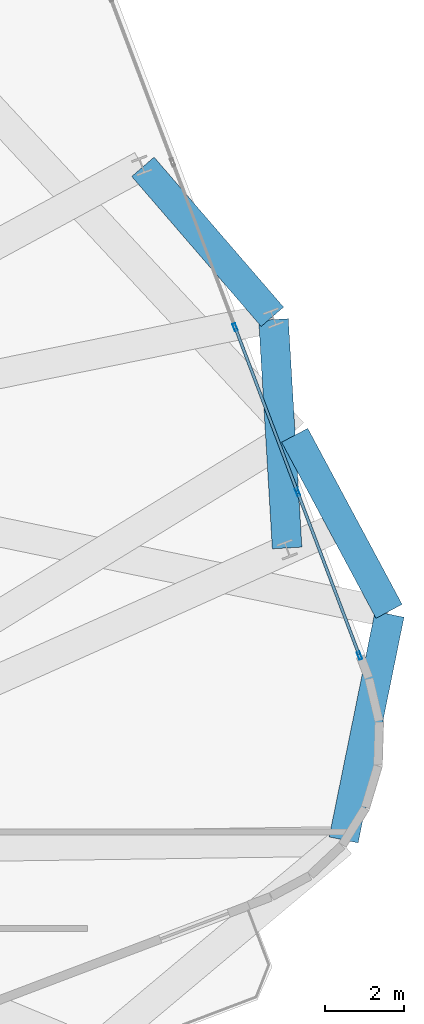
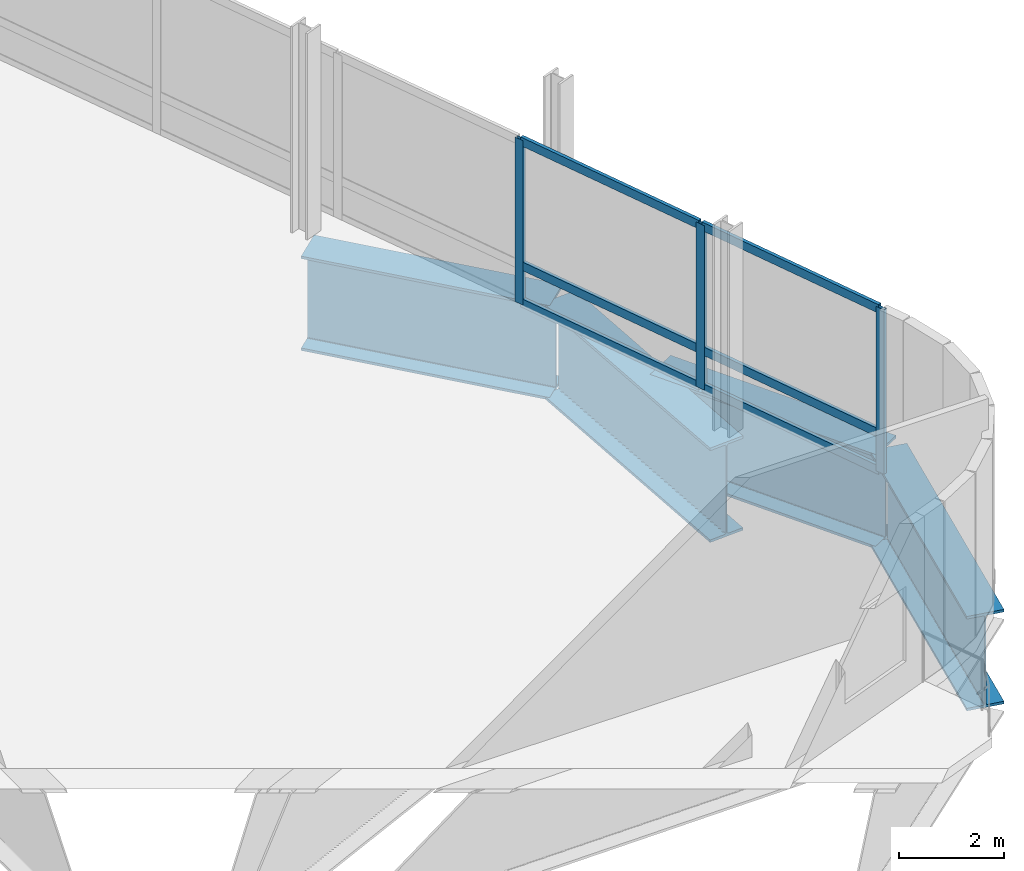
# One storey, part 11 of 19: 9 members, 4 beams, 1 element without a shape of its own.
"""IFC4 building model written with IfcOpenShell, lengths in metres."""

from ifc_helpers import new_model, si_unit, direction, frame, origin, origin_2d, place, context, subcontext, project, spatial, hollow_rectangle, i_section, extrude, material, layer, layer_set, material_profile, profile_set, type_object, element, aggregate, save


model = new_model("IFC4")

# Units and contexts
model_context = context("Model", 3, precision=1e-05, world=origin(), true_north=direction((0.0, 1.0)))
body_context = subcontext(model_context, "Body", "Model", "MODEL_VIEW")
ifc_project = project(units=[si_unit("LENGTHUNIT", "METRE"), si_unit("AREAUNIT", "SQUARE_METRE"), si_unit("VOLUMEUNIT", "CUBIC_METRE"), si_unit("PLANEANGLEUNIT", "RADIAN"), si_unit("MASSUNIT", "GRAM", prefix="KILO")], contexts=[model_context])

# Site, building, storey
site_placement = place(None, origin())
site = spatial("IfcSite", under=ifc_project, at=site_placement, CompositionType="ELEMENT")
building_placement = place(site_placement, origin())
building = spatial("IfcBuilding", under=site, at=building_placement, Name="Varnelok Gate Tower", CompositionType="ELEMENT")
storey_placement = place(building_placement, frame((0.0, 0.0, 207.89990234375)))
storey = spatial("IfcBuildingStorey", under=building, at=storey_placement, Name="L53", CompositionType="ELEMENT", Elevation=207.89990234375)

# Beams
ifc_material_1 = material(Name="Structural Steel ASTM A572 Grade 50", Category="steel")
ifc_material_profile_1 = material_profile(ifc_material_1, i_section(OverallWidth=0.75, OverallDepth=2.199951171875, WebThickness=0.031982421875, FlangeThickness=0.06005859375, FilletRadius=0.028076171875, at=origin_2d()), Name="PG2200X750")
ifc_profile_set_1 = profile_set([ifc_material_profile_1], Name="Structural Steel ASTM A572 Grade 50")
beam_type = type_object("IfcBeamType", Name="BM-TR-PG2200", PredefinedType="BEAM", material=ifc_profile_set_1)
beam_1_placement = place(storey_placement, frame((72.48486328125, 19.098388671875, -1.419921875), z_axis=(0.199125878394, 0.979973920344, 0.0), x_axis=(-0.979973920344, 0.199125878394, 0.0)))
element("IfcBeam", 1, at=beam_1_placement, inside=storey, type_object=beam_type, Name="L53 Transfer Support Ring Girder 6", PredefinedType="BEAM", context=body_context, shape_type="SweptSolid", body=[
    extrude(i_section(OverallWidth=0.75, OverallDepth=2.199951171875, WebThickness=0.031982421875, FlangeThickness=0.06005859375, FilletRadius=0.028076171875, at=origin_2d()), origin(), (0.0, 0.0, 1.0), 5.832275390625),
])
beam_2_placement = place(storey_placement, frame((73.63525390625, 24.888427734375, -1.419921875), z_axis=(-0.472505212111, 0.881327875724, 0.0), x_axis=(-0.881327875724, -0.472505212111, 0.0)))
element("IfcBeam", 2, at=beam_2_placement, inside=storey, type_object=beam_type, Name="L53 Transfer Support Ring Girder 7", PredefinedType="BEAM", context=body_context, shape_type="SweptSolid", body=[
    extrude(i_section(OverallWidth=0.75, OverallDepth=2.199951171875, WebThickness=0.031982421875, FlangeThickness=0.06005859375, FilletRadius=0.028076171875, at=origin_2d()), origin(), (0.0, 0.0, 1.0), 5.060546875),
])
beam_3_placement = place(storey_placement, frame((71.052734375, 26.493408203125, -1.419921875), z_axis=(-0.059470101815, 0.998230087199, 0.0), x_axis=(-0.998230087199, -0.059470101815, 0.0)))
element("IfcBeam", 3, at=beam_3_placement, inside=storey, type_object=beam_type, Name="L53 Upper Perimeter Transfer Ring 6", PredefinedType="BEAM", context=body_context, shape_type="SweptSolid", body=[
    extrude(i_section(OverallWidth=0.75, OverallDepth=2.199951171875, WebThickness=0.031982421875, FlangeThickness=0.06005859375, FilletRadius=0.028076171875, at=origin_2d()), origin(), (0.0, 0.0, 1.0), 5.796630859375),
])
beam_4_placement = place(storey_placement, frame((70.679443359375, 32.349853515625, -1.419921875), z_axis=(-0.65351476539, 0.756913767491, 0.0), x_axis=(-0.756913767491, -0.65351476539, 0.0)))
element("IfcBeam", 4, at=beam_4_placement, inside=storey, type_object=beam_type, Name="L53 Upper Perimeter Transfer Ring 7", PredefinedType="BEAM", context=body_context, shape_type="SweptSolid", body=[
    extrude(i_section(OverallWidth=0.75, OverallDepth=2.199951171875, WebThickness=0.031982421875, FlangeThickness=0.06005859375, FilletRadius=0.028076171875, at=origin_2d()), origin(), (0.0, 0.0, 1.0), 5.019775390625),
])

# Curtain wall, members
ifc_material_2 = material(Name="Anodized Aluminum Alloy 6063-T6", Category="aluminium")
ifc_layer = layer(ifc_material_2, 0.179931640625)
ifc_layer_set = layer_set([ifc_layer], Name="Anodized Aluminum Alloy 6063-T6")
curtain_wall_type = type_object("IfcCurtainWallType", Name="CW2-ATRIUM-GLAZING", PredefinedType="USERDEFINED", material=ifc_layer_set)
curtain_wall_placement = place(storey_placement, origin())
curtain_wall = element("IfcCurtainWall", 5, at=curtain_wall_placement, inside=storey, type_object=curtain_wall_type, Name="L53 East End Vision Curtain Wall", ObjectType="UNITISED CURTAIN WALL", PredefinedType="USERDEFINED")
ifc_material_profile_2 = material_profile(ifc_material_2, hollow_rectangle(XDim=0.074951171875, YDim=0.199951171875, WallThickness=0.00390625, at=origin_2d()), Name="ALU200X75X4")
ifc_profile_set_2 = profile_set([ifc_material_profile_2], Name="Anodized Aluminum Alloy 6063-T6")
member_type_1 = type_object("IfcMemberType", Name="CW-MULL-200", PredefinedType="MULLION", material=ifc_profile_set_2)
member_1_placement = place(storey_placement, frame((69.73583984375, 32.08447265625, 0.0), z_axis=(0.0, 0.0, 1.0), x_axis=(0.935221251863, 0.354063850264, 0.0)))
member_1 = element("IfcMember", 6, at=member_1_placement, type_object=member_type_1, Name="CW2 mullion 5", PredefinedType="MULLION", context=body_context, shape_type="SweptSolid", body=[
    extrude(hollow_rectangle(XDim=0.074951171875, YDim=0.199951171875, WallThickness=0.00390625, at=origin_2d()), origin(), (0.0, 0.0, 1.0), 3.830078125),
])
member_2_placement = place(storey_placement, frame((71.3173828125, 27.9072265625, 0.0), z_axis=(0.0, 0.0, 1.0), x_axis=(0.935221251863, 0.354063850264, 0.0)))
member_2 = element("IfcMember", 7, at=member_2_placement, type_object=member_type_1, Name="CW2 mullion 6", PredefinedType="MULLION", context=body_context, shape_type="SweptSolid", body=[
    extrude(hollow_rectangle(XDim=0.074951171875, YDim=0.199951171875, WallThickness=0.00390625, at=origin_2d()), origin(), (0.0, 0.0, 1.0), 3.830078125),
])
member_3_placement = place(storey_placement, frame((72.8857421875, 23.764892578125, 0.0), z_axis=(0.0, 0.0, 1.0), x_axis=(0.935221251863, 0.354063850264, 0.0)))
member_3 = element("IfcMember", 8, at=member_3_placement, type_object=member_type_1, Name="CW2 mullion 7", PredefinedType="MULLION", context=body_context, shape_type="SweptSolid", body=[
    extrude(hollow_rectangle(XDim=0.074951171875, YDim=0.199951171875, WallThickness=0.00390625, at=origin_2d()), origin(), (0.0, 0.0, 1.0), 3.830078125),
])
ifc_material_profile_3 = material_profile(ifc_material_2, hollow_rectangle(XDim=0.074951171875, YDim=0.199951171875, WallThickness=0.00390625, at=origin_2d()), Name="ALU200X75X4")
ifc_profile_set_3 = profile_set([ifc_material_profile_3], Name="Anodized Aluminum Alloy 6063-T6")
member_type_2 = type_object("IfcMemberType", Name="CW-TRAN-200", PredefinedType="USERDEFINED", material=ifc_profile_set_3)
member_4_placement = place(storey_placement, frame((69.749267578125, 32.04931640625, 0.03759765625), z_axis=(0.354064266196, -0.935221094396, 0.0), x_axis=(0.935221094396, 0.354064266196, 0.0)))
member_4 = element("IfcMember", 9, at=member_4_placement, type_object=member_type_2, Name="CW2 transom 5.1", ObjectType="TRANSOM", PredefinedType="USERDEFINED", context=body_context, shape_type="SweptSolid", body=[
    extrude(hollow_rectangle(XDim=0.074951171875, YDim=0.199951171875, WallThickness=0.00390625, at=origin_2d()), origin(), (0.0, 0.0, 1.0), 4.3916015625),
])
member_5_placement = place(storey_placement, frame((69.749267578125, 32.04931640625, 0.900146484375), z_axis=(0.354064266196, -0.935221094396, 0.0), x_axis=(0.935221094396, 0.354064266196, 0.0)))
member_5 = element("IfcMember", 10, at=member_5_placement, type_object=member_type_2, Name="CW2 transom 5.2", ObjectType="TRANSOM", PredefinedType="USERDEFINED", context=body_context, shape_type="SweptSolid", body=[
    extrude(hollow_rectangle(XDim=0.074951171875, YDim=0.199951171875, WallThickness=0.00390625, at=origin_2d()), origin(), (0.0, 0.0, 1.0), 4.3916015625),
])
member_6_placement = place(storey_placement, frame((69.749267578125, 32.04931640625, 3.79248046875), z_axis=(0.354064266196, -0.935221094396, 0.0), x_axis=(0.935221094396, 0.354064266196, 0.0)))
member_6 = element("IfcMember", 11, at=member_6_placement, type_object=member_type_2, Name="CW2 transom 5.3", ObjectType="TRANSOM", PredefinedType="USERDEFINED", context=body_context, shape_type="SweptSolid", body=[
    extrude(hollow_rectangle(XDim=0.074951171875, YDim=0.199951171875, WallThickness=0.00390625, at=origin_2d()), origin(), (0.0, 0.0, 1.0), 4.3916015625),
])
member_7_placement = place(storey_placement, frame((71.330810546875, 27.8720703125, 0.03759765625), z_axis=(0.354040568135, -0.935230065874, 0.0), x_axis=(0.935230065874, 0.354040568135, 0.0)))
member_7 = element("IfcMember", 12, at=member_7_placement, type_object=member_type_2, Name="CW2 transom 6.1", ObjectType="TRANSOM", PredefinedType="USERDEFINED", context=body_context, shape_type="SweptSolid", body=[
    extrude(hollow_rectangle(XDim=0.074951171875, YDim=0.199951171875, WallThickness=0.00390625, at=origin_2d()), origin(), (0.0, 0.0, 1.0), 4.35400390625),
])
member_8_placement = place(storey_placement, frame((71.330810546875, 27.8720703125, 0.900146484375), z_axis=(0.354040568135, -0.935230065874, 0.0), x_axis=(0.935230065874, 0.354040568135, 0.0)))
member_8 = element("IfcMember", 13, at=member_8_placement, type_object=member_type_2, Name="CW2 transom 6.2", ObjectType="TRANSOM", PredefinedType="USERDEFINED", context=body_context, shape_type="SweptSolid", body=[
    extrude(hollow_rectangle(XDim=0.074951171875, YDim=0.199951171875, WallThickness=0.00390625, at=origin_2d()), origin(), (0.0, 0.0, 1.0), 4.35400390625),
])
member_9_placement = place(storey_placement, frame((71.330810546875, 27.8720703125, 3.79248046875), z_axis=(0.354040568135, -0.935230065874, 0.0), x_axis=(0.935230065874, 0.354040568135, 0.0)))
member_9 = element("IfcMember", 14, at=member_9_placement, type_object=member_type_2, Name="CW2 transom 6.3", ObjectType="TRANSOM", PredefinedType="USERDEFINED", context=body_context, shape_type="SweptSolid", body=[
    extrude(hollow_rectangle(XDim=0.074951171875, YDim=0.199951171875, WallThickness=0.00390625, at=origin_2d()), origin(), (0.0, 0.0, 1.0), 4.35400390625),
])
aggregate(curtain_wall, [member_1, member_2, member_3, member_4, member_5, member_6, member_7, member_8, member_9])

save(model, "model.ifc")
